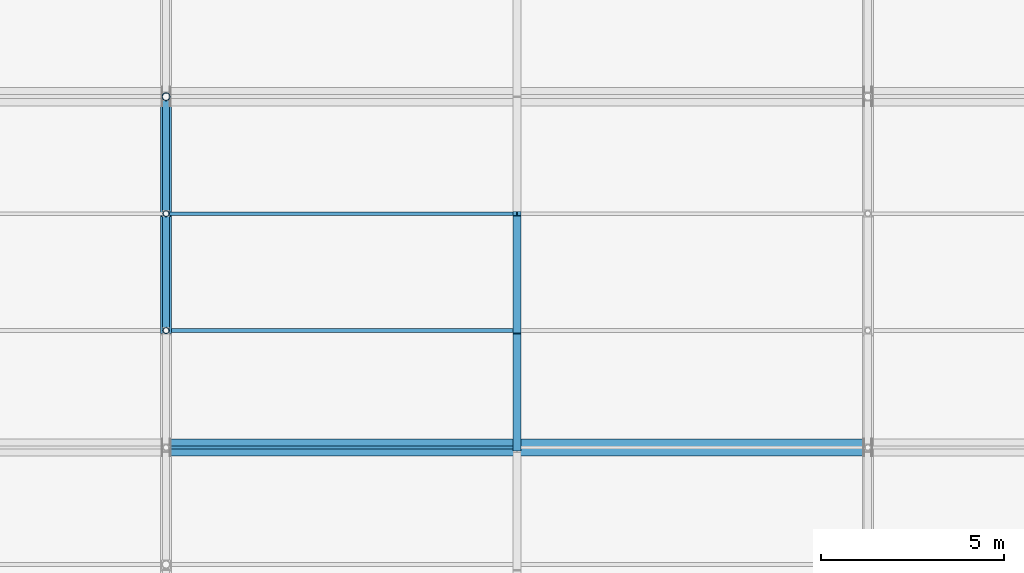
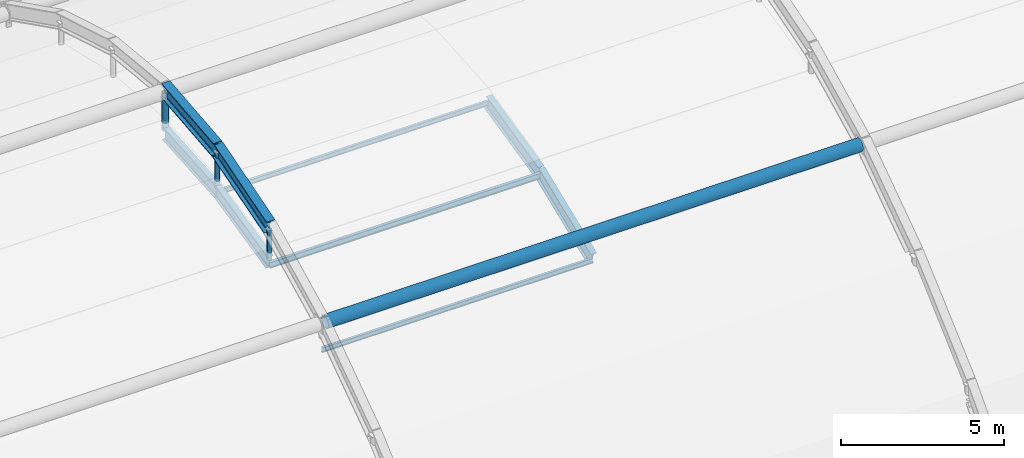
# One storey, part 56 of 126: 7 members, 6 beams.
"""IFC4 building model written with IfcOpenShell, lengths in metres."""

from ifc_helpers import new_model, si_unit, direction, frame, origin, origin_2d, place, context, subcontext, project, spatial, hollow_circle, i_section, extrude, material, material_profile, profile_set, type_object, element, save


model = new_model("IFC4")

# Units and contexts
model_context = context("Model", 3, precision=1e-05, world=origin(), true_north=direction((0.0, 1.0)))
body_context = subcontext(model_context, "Body", "Model", "MODEL_VIEW")
ifc_project = project(units=[si_unit("LENGTHUNIT", "METRE"), si_unit("AREAUNIT", "SQUARE_METRE"), si_unit("VOLUMEUNIT", "CUBIC_METRE"), si_unit("PLANEANGLEUNIT", "RADIAN"), si_unit("MASSUNIT", "GRAM", prefix="KILO")], contexts=[model_context])

# Site, building, storey
site_placement = place(None, origin())
site = spatial("IfcSite", under=ifc_project, at=site_placement, CompositionType="ELEMENT")
building_placement = place(site_placement, origin())
building = spatial("IfcBuilding", under=site, at=building_placement, Name="Coralgate Yard Interchange", CompositionType="ELEMENT")
storey_placement = place(building_placement, frame((0.0, 0.0, 10.5)))
storey = spatial("IfcBuildingStorey", under=building, at=storey_placement, Name="L02", CompositionType="ELEMENT", Elevation=10.5)

# Beams
ifc_material_1 = material(Name="Yellow-ochre weather-coated structural steel S355J2", Category="steel")
ifc_material_profile_1 = material_profile(ifc_material_1, i_section(OverallWidth=0.300048828125, OverallDepth=0.550048828125, WebThickness=0.014892578125, FlangeThickness=0.029052734375, FilletRadius=0.027099609375, at=origin_2d()), Name="HEB 550")
ifc_profile_set_1 = profile_set([ifc_material_profile_1], Name="Yellow-ochre weather-coated structural steel S355J2")
beam_type_1 = type_object("IfcBeamType", Name="BM-AR-2", PredefinedType="BEAM", material=ifc_profile_set_1)
beam_1_placement = place(storey_placement, frame((67.199951171875, 51.199951171875, 11.922119140625), z_axis=(0.0, 0.957948903279, 0.286938841403), x_axis=(-1.0, 0.0, 0.0)))
element("IfcBeam", 1, at=beam_1_placement, inside=storey, type_object=beam_type_1, Name="Yellow-ochre overarching steel arch AR-2 chord 6", PredefinedType="BEAM", context=body_context, shape_type="SweptSolid", body=[
    extrude(i_section(OverallWidth=0.300048828125, OverallDepth=0.550048828125, WebThickness=0.014892578125, FlangeThickness=0.029052734375, FilletRadius=0.027099609375, at=origin_2d()), origin(), (0.0, 0.0, 1.0), 3.34033203125),
])
beam_2_placement = place(storey_placement, frame((67.199951171875, 54.39990234375, 12.880615234375), z_axis=(0.0, 0.995058212944, 0.0992932669), x_axis=(-1.0, 0.0, 0.0)))
element("IfcBeam", 2, at=beam_2_placement, inside=storey, type_object=beam_type_1, Name="Yellow-ochre overarching steel arch AR-2 chord 7", PredefinedType="BEAM", context=body_context, shape_type="SweptSolid", body=[
    extrude(i_section(OverallWidth=0.300048828125, OverallDepth=0.550048828125, WebThickness=0.014892578125, FlangeThickness=0.029052734375, FilletRadius=0.027099609375, at=origin_2d()), origin(), (0.0, 0.0, 1.0), 3.216064453125),
])
ifc_material_2 = material(Name="Weather-coated structural steel S355J2", Category="steel")
ifc_material_profile_2 = material_profile(ifc_material_2, i_section(OverallWidth=0.209228515625, OverallDepth=0.533203125, WebThickness=0.010009765625, FlangeThickness=0.015625, FilletRadius=0.0126953125, at=origin_2d()), Name="UB 533x210x92")
ifc_profile_set_2 = profile_set([ifc_material_profile_2], Name="Weather-coated structural steel S355J2")
beam_type_2 = type_object("IfcBeamType", Name="BM-VR-1", PredefinedType="BEAM", material=ifc_profile_set_2)
beam_3_placement = place(storey_placement, frame((76.800048828125, 48.0, 9.2958984375), z_axis=(0.0, 0.927713244188, 0.373293633161), x_axis=(-1.0, 0.0, 0.0)))
element("IfcBeam", 3, at=beam_3_placement, inside=storey, type_object=beam_type_2, Name="Barrel-vault gridshell rib 5 seg 4", PredefinedType="BEAM", context=body_context, shape_type="SweptSolid", body=[
    extrude(i_section(OverallWidth=0.209228515625, OverallDepth=0.533203125, WebThickness=0.010009765625, FlangeThickness=0.015625, FilletRadius=0.0126953125, at=origin_2d()), origin(), (0.0, 0.0, 1.0), 3.44921875),
])
beam_4_placement = place(storey_placement, frame((76.800048828125, 51.199951171875, 10.58349609375), z_axis=(0.0, 0.974597563071, 0.223963367664), x_axis=(-1.0, 0.0, 0.0)))
element("IfcBeam", 4, at=beam_4_placement, inside=storey, type_object=beam_type_2, Name="Barrel-vault gridshell rib 5 seg 5", PredefinedType="BEAM", context=body_context, shape_type="SweptSolid", body=[
    extrude(i_section(OverallWidth=0.209228515625, OverallDepth=0.533203125, WebThickness=0.010009765625, FlangeThickness=0.015625, FilletRadius=0.0126953125, at=origin_2d()), origin(), (0.0, 0.0, 1.0), 3.283447265625),
])
ifc_material_profile_3 = material_profile(ifc_material_2, i_section(OverallWidth=0.199951171875, OverallDepth=0.5, WebThickness=0.01025390625, FlangeThickness=0.01611328125, FilletRadius=0.02099609375, at=origin_2d()), Name="IPE 500")
ifc_profile_set_3 = profile_set([ifc_material_profile_3], Name="Weather-coated structural steel S355J2")
beam_type_3 = type_object("IfcBeamType", Name="BM-VR-2", PredefinedType="BEAM", material=ifc_profile_set_3)
beam_5_placement = place(storey_placement, frame((67.199951171875, 51.199951171875, 10.60009765625), z_axis=(0.0, 0.974613791, 0.22389273859), x_axis=(-1.0, 0.0, 0.0)))
element("IfcBeam", 5, at=beam_5_placement, inside=storey, type_object=beam_type_3, Name="Barrel-vault gridshell rib 4 seg 5", PredefinedType="BEAM", context=body_context, shape_type="SweptSolid", body=[
    extrude(i_section(OverallWidth=0.199951171875, OverallDepth=0.5, WebThickness=0.01025390625, FlangeThickness=0.01611328125, FilletRadius=0.02099609375, at=origin_2d()), origin(), (0.0, 0.0, 1.0), 3.283203125),
])
beam_6_placement = place(storey_placement, frame((67.199951171875, 54.39990234375, 11.335205078125), z_axis=(0.0, 0.997211212266, 0.074631080198), x_axis=(-1.0, 0.0, 0.0)))
element("IfcBeam", 6, at=beam_6_placement, inside=storey, type_object=beam_type_3, Name="Barrel-vault gridshell rib 4 seg 6", PredefinedType="BEAM", context=body_context, shape_type="SweptSolid", body=[
    extrude(i_section(OverallWidth=0.199951171875, OverallDepth=0.5, WebThickness=0.01025390625, FlangeThickness=0.01611328125, FilletRadius=0.02099609375, at=origin_2d()), origin(), (0.0, 0.0, 1.0), 3.209228515625),
])

# Members
ifc_material_profile_4 = material_profile(ifc_material_1, hollow_circle(Radius=0.228515625, WallThickness=0.01611328125, at=origin_2d()), Name="CHS 457x16")
ifc_profile_set_4 = profile_set([ifc_material_profile_4], Name="Yellow-ochre weather-coated structural steel S355J2")
member_type_1 = type_object("IfcMemberType", Name="MB-GC-7", PredefinedType="CHORD", material=ifc_profile_set_4)
member_1_placement = place(storey_placement, frame((67.320068359375, 48.0, 10.25), z_axis=(1.0, 0.0, 0.0), x_axis=(0.0, 1.0, 0.0)))
element("IfcMember", 7, at=member_1_placement, inside=storey, type_object=member_type_1, Name="Arch longitudinal tie strut 2-S", PredefinedType="CHORD", context=body_context, shape_type="SweptSolid", body=[
    extrude(hollow_circle(Radius=0.228515625, WallThickness=0.01611328125, at=origin_2d()), origin(), (0.0, 0.0, 1.0), 18.9599609375),
])
ifc_material_profile_5 = material_profile(ifc_material_1, hollow_circle(Radius=0.109619140625, WallThickness=0.010009765625, at=origin_2d()), Name="CHS 219.1x10")
ifc_profile_set_5 = profile_set([ifc_material_profile_5], Name="Yellow-ochre weather-coated structural steel S355J2")
member_type_2 = type_object("IfcMemberType", Name="MB-HG-1", PredefinedType="STRUT", material=ifc_profile_set_5)
member_2_placement = place(storey_placement, frame((67.199951171875, 57.60009765625, 11.6748046875), z_axis=(0.0, 0.0, 1.0), x_axis=(1.0, 0.0, 0.0)))
element("IfcMember", 8, at=member_2_placement, inside=storey, type_object=member_type_2, Name="Arch AR-2 steel suspension hanger 6", PredefinedType="STRUT", context=body_context, shape_type="SweptSolid", body=[
    extrude(hollow_circle(Radius=0.109619140625, WallThickness=0.010009765625, at=origin_2d()), origin(), (0.0, 0.0, 1.0), 1.42529296875),
])
ifc_material_profile_6 = material_profile(ifc_material_1, hollow_circle(Radius=0.084228515625, WallThickness=0.008056640625, at=origin_2d()), Name="CHS 168.3x8")
ifc_profile_set_6 = profile_set([ifc_material_profile_6], Name="Yellow-ochre weather-coated structural steel S355J2")
member_type_3 = type_object("IfcMemberType", Name="MB-HG-2", PredefinedType="STRUT", material=ifc_profile_set_6)
member_3_placement = place(storey_placement, frame((67.199951171875, 51.199951171875, 10.7001953125), z_axis=(0.0, 0.0, 1.0), x_axis=(1.0, 0.0, 0.0)))
element("IfcMember", 9, at=member_3_placement, inside=storey, type_object=member_type_3, Name="Arch AR-2 steel suspension hanger 4", PredefinedType="STRUT", context=body_context, shape_type="SweptSolid", body=[
    extrude(hollow_circle(Radius=0.084228515625, WallThickness=0.008056640625, at=origin_2d()), origin(), (0.0, 0.0, 1.0), 1.1220703125),
])
member_4_placement = place(storey_placement, frame((67.199951171875, 54.39990234375, 11.435302734375), z_axis=(0.0, 0.0, 1.0), x_axis=(1.0, 0.0, 0.0)))
element("IfcMember", 10, at=member_4_placement, inside=storey, type_object=member_type_3, Name="Arch AR-2 steel suspension hanger 5", PredefinedType="STRUT", context=body_context, shape_type="SweptSolid", body=[
    extrude(hollow_circle(Radius=0.084228515625, WallThickness=0.008056640625, at=origin_2d()), origin(), (0.0, 0.0, 1.0), 1.34521484375),
])
ifc_material_profile_7 = material_profile(ifc_material_2, i_section(OverallWidth=0.110107421875, OverallDepth=0.219970703125, WebThickness=0.005859375, FlangeThickness=0.00927734375, FilletRadius=0.011962890625, at=origin_2d()), Name="IPE 220")
ifc_profile_set_7 = profile_set([ifc_material_profile_7], Name="Weather-coated structural steel S355J2")
member_type_4 = type_object("IfcMemberType", Name="MB-PR-1", PredefinedType="PURLIN", material=ifc_profile_set_7)
member_5_placement = place(storey_placement, frame((67.201904296875, 51.199951171875, 10.489990234375), z_axis=(1.0, 0.0, 0.0), x_axis=(0.0, 1.0, 0.0)))
element("IfcMember", 11, at=member_5_placement, inside=storey, type_object=member_type_4, Name="Barrel-vault gridshell purlin 4-5", PredefinedType="PURLIN", context=body_context, shape_type="SweptSolid", body=[
    extrude(i_section(OverallWidth=0.110107421875, OverallDepth=0.219970703125, WebThickness=0.005859375, FlangeThickness=0.00927734375, FilletRadius=0.011962890625, at=origin_2d()), origin(), (0.0, 0.0, 1.0), 9.59619140625),
])
ifc_material_3 = material(Name="Off-white architectural structural steel S355J2", Category="steel")
ifc_material_profile_8 = material_profile(ifc_material_3, i_section(OverallWidth=0.091064453125, OverallDepth=0.179931640625, WebThickness=0.00537109375, FlangeThickness=0.008056640625, FilletRadius=0.009033203125, at=origin_2d()), Name="IPE 180")
ifc_profile_set_8 = profile_set([ifc_material_profile_8], Name="Off-white architectural structural steel S355J2")
member_type_5 = type_object("IfcMemberType", Name="MB-PR-2", PredefinedType="PURLIN", material=ifc_profile_set_8)
for number, where, z_axis, x_axis, name in (
    (12, (67.201904296875, 48.0, 9.242431640625), (1.0, 0.0, 0.0), (0.0, 1.0, 0.0), "Barrel-vault gridshell purlin 4-4"),
    (13, (67.201904296875, 54.39990234375, 11.265380859375), (1.0, 0.0, 0.0), (0.0, 1.0, 0.0), "Barrel-vault gridshell purlin 4-6"),
):
    element("IfcMember", number, at=place(storey_placement, frame(where, z_axis=z_axis, x_axis=x_axis)), inside=storey, type_object=member_type_5, Name=name, PredefinedType="PURLIN", context=body_context, shape_type="SweptSolid", body=[
        extrude(i_section(OverallWidth=0.091064453125, OverallDepth=0.179931640625, WebThickness=0.00537109375, FlangeThickness=0.008056640625, FilletRadius=0.009033203125, at=origin_2d()), origin(), (0.0, 0.0, 1.0), 9.59619140625),
    ])

save(model, "model.ifc")
